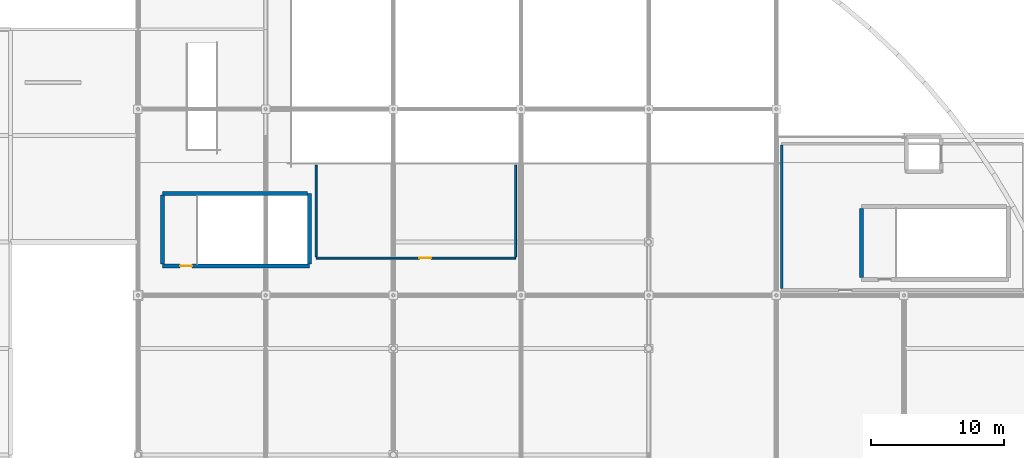
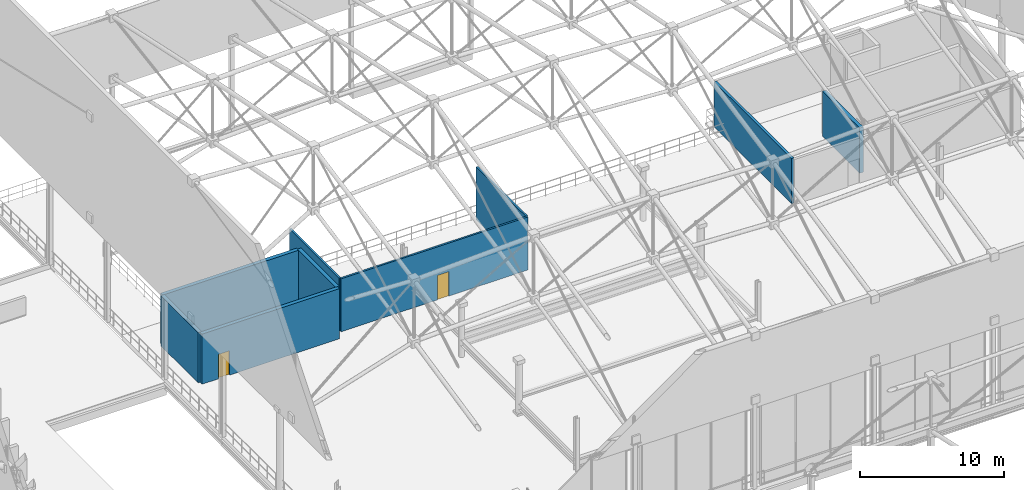
# One storey, part 157 of 193: 9 walls, 2 doors, 2 openings.
"""IFC4 building model written with IfcOpenShell, lengths in metres."""

import ifcopenshell
import ifcopenshell.guid

model = None  # the IFC model being written
_history = None  # IfcOwnerHistory: only IFC2X3 demands one
_inside = {}  # id of a spatial element -> (the spatial element, [elements in it])
_under = {}  # id of a project, library or spatial element -> (it, [spatial elements below it])
_declared = {}  # id of a project -> (the project, [libraries it declares])
_typed = {}  # id of a type object -> (the type object, [elements of that type])
_made_of = {}  # id of a material, layer set ... -> (it, [elements and type objects made of it])


def new_model(schema):
    """Start an empty IFC model of exactly this schema.

    Asked for "IFC4X3", IfcOpenShell would pick the latest addendum, in which some entities
    have other attributes; the version numbers below select the first issue.
    IFC2X3 requires an IfcOwnerHistory on every rooted entity: one is made here for all.
    """
    global model, _history
    if schema == "IFC4X3":
        model = ifcopenshell.file(schema_version=(4, 3, 0, 0))
    else:
        model = ifcopenshell.file(schema=schema)
    _inside.clear()
    _under.clear()
    _declared.clear()
    _typed.clear()
    _made_of.clear()
    _history = None
    if model.schema == "IFC2X3":
        org = make("IfcOrganization", Name="unknown")
        user = make(
            "IfcPersonAndOrganization",
            ThePerson=make("IfcPerson", FamilyName="unknown"),
            TheOrganization=org,
        )
        app = make(
            "IfcApplication",
            ApplicationDeveloper=org,
            Version="unknown",
            ApplicationFullName="unknown",
            ApplicationIdentifier="unknown",
        )
        _history = make(
            "IfcOwnerHistory",
            OwningUser=user,
            OwningApplication=app,
            ChangeAction="ADDED",
            CreationDate=0,
        )
    return model


def make(cls, **values):
    """One entity of the class cls with the attributes given. An attribute that is None is left unset."""
    return model.create_entity(
        cls, **{name: value for name, value in values.items() if value is not None}
    )


def rooted(cls, **values):
    """An entity with a GlobalId (a new one), such as an element, a storey or a relation."""
    return make(cls, GlobalId=ifcopenshell.guid.new(), OwnerHistory=_history, **values)


def si_unit(unit_type, name, prefix=None):
    """IfcSIUnit, for example si_unit("LENGTHUNIT", "METRE", prefix="MILLI")."""
    return make("IfcSIUnit", UnitType=unit_type, Prefix=prefix, Name=name)


def assignment(units):
    """IfcUnitAssignment: the units of a project."""
    return None if units is None else make("IfcUnitAssignment", Units=units)


def point(xyz):
    """IfcCartesianPoint."""
    return None if xyz is None else make("IfcCartesianPoint", Coordinates=xyz)


def direction(xyz):
    """IfcDirection."""
    return None if xyz is None else make("IfcDirection", DirectionRatios=xyz)


def frame(location, z_axis=None, x_axis=None):
    """IfcAxis2Placement3D, a coordinate frame: its origin and axes. An axis left out is left unset."""
    return make(
        "IfcAxis2Placement3D",
        Location=point(location),
        Axis=direction(z_axis),
        RefDirection=direction(x_axis),
    )


def frame_2d(location, x_axis=None):
    """IfcAxis2Placement2D, a coordinate frame in the plane: its origin and x axis."""
    return make(
        "IfcAxis2Placement2D", Location=point(location), RefDirection=direction(x_axis)
    )


def origin():
    """The frame at (0, 0, 0) with its axes left unset."""
    return frame((0.0, 0.0, 0.0))


def place(relative_to, where):
    """IfcLocalPlacement: puts the frame where relative to a parent placement (None: the world)."""
    return make(
        "IfcLocalPlacement", PlacementRelTo=relative_to, RelativePlacement=where
    )


def context(
    kind, dimensions, precision=None, world=None, true_north=None, identifier=None
):
    """IfcGeometricRepresentationContext, for example the 3D "Model" context."""
    return make(
        "IfcGeometricRepresentationContext",
        ContextIdentifier=identifier,
        ContextType=kind,
        CoordinateSpaceDimension=dimensions,
        Precision=precision,
        WorldCoordinateSystem=world,
        TrueNorth=true_north,
    )


def subcontext(parent, identifier, kind, view, scale=None):
    """IfcGeometricRepresentationSubContext, for example "Body" below "Model"."""
    return make(
        "IfcGeometricRepresentationSubContext",
        ContextIdentifier=identifier,
        ContextType=kind,
        ParentContext=parent,
        TargetScale=scale,
        TargetView=view,
    )


def project(units=None, contexts=None):
    """IfcProject with its units and contexts."""
    return rooted(
        "IfcProject",
        Name="project",
        RepresentationContexts=contexts,
        UnitsInContext=assignment(units),
    )


def spatial(cls, under=None, at=None, **own):
    """A site, building, storey or space (cls), placed at a placement, below another one or the project."""
    s = rooted(cls, ObjectPlacement=at, **own)
    if under is not None:
        _under.setdefault(under.id(), (under, []))[1].append(s)
    return s


def profile(cls, at=None, kind="AREA", **sizes):
    """A parametric profile (cls). Its sizes go by their IFC names, for example OverallWidth=200.0."""
    return make(cls, ProfileType=kind, Position=at, **sizes)


def rectangle(**sizes):
    """IfcRectangleProfileDef."""
    return profile("IfcRectangleProfileDef", **sizes)


def extrude(swept, where, along, depth):
    """IfcExtrudedAreaSolid: the profile swept, set in the frame where, extruded along a direction by depth."""
    return make(
        "IfcExtrudedAreaSolid",
        SweptArea=swept,
        Position=where,
        ExtrudedDirection=direction(along),
        Depth=depth,
    )


def shape(context_of_items, identifier, shape_type, items):
    """IfcShapeRepresentation: the items that make up one representation, for example the "Body"."""
    return make(
        "IfcShapeRepresentation",
        ContextOfItems=context_of_items,
        RepresentationIdentifier=identifier,
        RepresentationType=shape_type,
        Items=items,
    )


def material(Name=None, Category=None):
    """IfcMaterial."""
    return make("IfcMaterial", Name=Name, Category=Category)


def layer(
    of_material, thickness, ventilated=None, Name=None, Category=None, Priority=None
):
    """IfcMaterialLayer: one layer of a wall or slab, of a material (None: an air gap)."""
    return make(
        "IfcMaterialLayer",
        Material=of_material,
        LayerThickness=thickness,
        IsVentilated=ventilated,
        Name=Name,
        Category=Category,
        Priority=Priority,
    )


def layer_set(layers, Name=None):
    """IfcMaterialLayerSet."""
    return make("IfcMaterialLayerSet", MaterialLayers=layers, LayerSetName=Name)


def made_of(thing, what):
    """Note that an element or type object is made of a material, layer set ...; save() writes the relation."""
    if what is not None:
        _made_of.setdefault(what.id(), (what, []))[1].append(thing)
    return thing


def type_object(cls, material=None, **own):
    """A type object (cls), such as IfcWallType, which elements share."""
    return made_of(rooted(cls, **own), material)


def element(
    cls,
    number,
    at=None,
    inside=None,
    cuts=None,
    type_object=None,
    material=None,
    context=None,
    identifier="Body",
    shape_type=None,
    held_by="IfcProductDefinitionShape",
    body=None,
    shapes=None,
    **own,
):
    """One element of the class cls, such as IfcWall. Its Tag is "e" and its number.

    at: its placement. inside: the storey or other place that contains it. cuts: it is an
    opening in that element (IfcRelVoidsElement). A single representation is given by context,
    identifier, shape_type and body (its items); several are given by shapes. held_by: the class
    of the entity that holds the representations. save() writes the other relations.
    """
    e = rooted(cls, Tag="e%d" % number, ObjectPlacement=at, **own)
    if body is not None:
        shapes = [shape(context, identifier, shape_type, body)]
    if shapes is not None:
        e.Representation = make(held_by, Representations=shapes)
    if inside is not None:
        _inside.setdefault(inside.id(), (inside, []))[1].append(e)
    if cuts is not None:
        rooted(
            "IfcRelVoidsElement", RelatingBuildingElement=cuts, RelatedOpeningElement=e
        )
    if type_object is not None:
        _typed.setdefault(type_object.id(), (type_object, []))[1].append(e)
    return made_of(e, material)


def fill(opening, filler):
    """IfcRelFillsElement: the door or window that sits in an opening."""
    return rooted(
        "IfcRelFillsElement",
        RelatingOpeningElement=opening,
        RelatedBuildingElement=filler,
    )


def aggregate(whole, parts):
    """IfcRelAggregates: a whole, such as a stair, and the parts it consists of."""
    return rooted("IfcRelAggregates", RelatingObject=whole, RelatedObjects=parts)


def save(model, path):
    """Write the relations noted so far, then the file.

    IfcRelAggregates (storeys below a building ...), IfcRelContainedInSpatialStructure (elements
    in a storey), IfcRelDefinesByType, IfcRelAssociatesMaterial and IfcRelDeclares: one each for
    every whole, place, type object, material and project.
    """
    for whole, parts in _under.values():
        aggregate(whole, parts)
    for where, things in _inside.values():
        rooted(
            "IfcRelContainedInSpatialStructure",
            RelatedElements=things,
            RelatingStructure=where,
        )
    for kind, things in _typed.values():
        rooted("IfcRelDefinesByType", RelatedObjects=things, RelatingType=kind)
    for what, things in _made_of.values():
        rooted("IfcRelAssociatesMaterial", RelatedObjects=things, RelatingMaterial=what)
    for by, libraries in _declared.values():
        rooted("IfcRelDeclares", RelatingContext=by, RelatedDefinitions=libraries)
    model.write(path)


model = new_model("IFC4")

# Units and contexts
model_context = context("Model", 3, precision=1e-05, world=origin(), true_north=direction((0.0, 1.0)))
body_context = subcontext(model_context, "Body", "Model", "MODEL_VIEW")
ifc_project = project(units=[si_unit("LENGTHUNIT", "METRE"), si_unit("AREAUNIT", "SQUARE_METRE"), si_unit("VOLUMEUNIT", "CUBIC_METRE"), si_unit("PLANEANGLEUNIT", "RADIAN"), si_unit("MASSUNIT", "GRAM", prefix="KILO")], contexts=[model_context])

# Site, building, storey
site_placement = place(None, origin())
site = spatial("IfcSite", under=ifc_project, at=site_placement, CompositionType="ELEMENT")
building_placement = place(site_placement, origin())
building = spatial("IfcBuilding", under=site, at=building_placement, Name="Danafjord Basin Convention Centre", CompositionType="ELEMENT")
storey_placement = place(building_placement, frame((0.0, 0.0, 11.39990234375)))
storey = spatial("IfcBuildingStorey", under=building, at=storey_placement, Name="L02", CompositionType="ELEMENT", Elevation=11.39990234375)

# Wall
ifc_material_1 = material(Name="Concrete C40/50", Category="concrete")
ifc_layer_1 = layer(ifc_material_1, 0.300048828125)
ifc_layer_set_1 = layer_set([ifc_layer_1], Name="Concrete C40/50")
wall_type_1 = type_object("IfcWallType", Name="WALL-CW-CORE300", PredefinedType="SHEAR", material=ifc_layer_set_1)
wall_1_placement = place(storey_placement, frame((188.800048828125, 122.52490234375, 0.0), z_axis=(0.0, 0.0, 1.0), x_axis=(0.0, -1.0, 0.0)))
element("IfcWall", 1, at=wall_1_placement, inside=storey, type_object=wall_type_1, Name="Plenary North-East Core Stair 1 core shear wall (west)", PredefinedType="SHEAR", context=body_context, shape_type="SweptSolid", body=[
    extrude(rectangle(XDim=5.18994140625, YDim=0.300048828125, at=frame_2d((2.594970703125, 0.0))), origin(), (0.0, 0.0, 1.0), 3.835205078125),
])

# Wall, opening, door
wall_2_placement = place(storey_placement, frame((136.25, 118.199951171875, 0.0), z_axis=(0.0, 0.0, 1.0), x_axis=(1.0, 0.0, 0.0)))
wall_2 = element("IfcWall", 2, at=wall_2_placement, inside=storey, type_object=wall_type_1, Name="Plenary West Escape Stair core shear wall (south)", PredefinedType="SHEAR", context=body_context, shape_type="SweptSolid", body=[
    extrude(rectangle(XDim=11.0400390625, YDim=0.300048828125, at=frame_2d((5.52001953125, 0.0))), origin(), (0.0, 0.0, 1.0), 4.255126953125),
])
opening_1_placement = place(wall_2_placement, frame((1.31201171875, 0.0, 0.0)))
opening_1 = element("IfcOpeningElement", 3, at=opening_1_placement, cuts=wall_2, Name="Opening FD-S01", PredefinedType="OPENING", context=body_context, shape_type="SweptSolid", body=[
    extrude(rectangle(XDim=0.909912109375, YDim=2.080078125, at=frame_2d((0.455078125, 1.0400390625))), frame((0.0, 0.159912109375, 0.0), z_axis=(0.0, -1.0, 0.0), x_axis=(1.0, 0.0, 0.0)), (0.0, 0.0, 1.0), 0.320068359375),
])
ifc_material_2 = material(Name="Powder-coated steel and Nordic oak", Category="steel")
door_type = type_object("IfcDoorType", Name="DOOR-FD-S01", OperationType="NOTDEFINED", PredefinedType="DOOR", material=ifc_material_2)
door_1_placement = place(opening_1_placement, origin())
door_1 = element("IfcDoor", 4, at=door_1_placement, inside=storey, type_object=door_type, Name="Plenary West Escape Stair L02 Fire Exit Door", OperationType="SINGLE_SWING_LEFT", OverallHeight=2.080078125, OverallWidth=0.909912109375, PredefinedType="DOOR", context=body_context, shape_type="SweptSolid", body=[
    extrude(rectangle(XDim=0.909912109375, YDim=2.080078125, at=frame_2d((0.455078125, 1.0400390625))), frame((0.0, 0.02490234375, 0.0), z_axis=(0.0, -1.0, 0.0), x_axis=(1.0, 0.0, 0.0)), (0.0, 0.0, 1.0), 0.050048828125),
])
fill(opening_1, door_1)

# Walls
wall_3_placement = place(storey_placement, frame((147.2900390625, 118.3349609375, 0.0), z_axis=(0.0, 0.0, 1.0), x_axis=(0.0, 1.0, 0.0)))
element("IfcWall", 5, at=wall_3_placement, inside=storey, type_object=wall_type_1, Name="Plenary West Escape Stair core shear wall (east)", PredefinedType="SHEAR", context=body_context, shape_type="SweptSolid", body=[
    extrude(rectangle(XDim=5.324951171875, YDim=0.300048828125, at=frame_2d((2.66259765625, 0.0))), origin(), (0.0, 0.0, 1.0), 4.255126953125),
])
wall_4_placement = place(storey_placement, frame((147.155029296875, 123.659912109375, 0.0), z_axis=(0.0, 0.0, 1.0), x_axis=(-1.0, 0.0, 0.0)))
element("IfcWall", 6, at=wall_4_placement, inside=storey, type_object=wall_type_1, Name="Plenary West Escape Stair core shear wall (north)", PredefinedType="SHEAR", context=body_context, shape_type="SweptSolid", body=[
    extrude(rectangle(XDim=10.905029296875, YDim=0.300048828125, at=frame_2d((5.45263671875, 0.0))), origin(), (0.0, 0.0, 1.0), 4.255126953125),
])
wall_5_placement = place(storey_placement, frame((136.25, 123.52490234375, 0.0), z_axis=(0.0, 0.0, 1.0), x_axis=(0.0, -1.0, 0.0)))
element("IfcWall", 7, at=wall_5_placement, inside=storey, type_object=wall_type_1, Name="Plenary West Escape Stair core shear wall (west)", PredefinedType="SHEAR", context=body_context, shape_type="SweptSolid", body=[
    extrude(rectangle(XDim=5.18994140625, YDim=0.300048828125, at=frame_2d((2.594970703125, 0.0))), origin(), (0.0, 0.0, 1.0), 4.255126953125),
])

# Wall, opening, door
ifc_material_3 = material(Name="Fire-rated gypsum metal-stud partition")
ifc_layer_2 = layer(ifc_material_3, 0.14990234375)
ifc_layer_set_2 = layer_set([ifc_layer_2], Name="Fire-rated gypsum metal-stud partition")
wall_type_2 = type_object("IfcWallType", Name="WALL-PT-ST150", PredefinedType="PARTITIONING", material=ifc_layer_set_2)
wall_6_placement = place(storey_placement, frame((147.800048828125, 118.800048828125, 0.0), z_axis=(0.0, 0.0, 1.0), x_axis=(1.0, 0.0, 0.0)))
wall_6 = element("IfcWall", 8, at=wall_6_placement, inside=storey, type_object=wall_type_2, Name="Interpretation Booths and Media Suite south partition", PredefinedType="PARTITIONING", context=body_context, shape_type="SweptSolid", body=[
    extrude(rectangle(XDim=15.0, YDim=0.14990234375, at=frame_2d((7.5, 0.0))), origin(), (0.0, 0.0, 1.0), 4.5),
])
opening_2_placement = place(wall_6_placement, frame((7.75, 0.0, 0.0)))
opening_2 = element("IfcOpeningElement", 9, at=opening_2_placement, cuts=wall_6, Name="Opening FD-S01", PredefinedType="OPENING", context=body_context, shape_type="SweptSolid", body=[
    extrude(rectangle(XDim=0.909912109375, YDim=2.080078125, at=frame_2d((0.455078125, 1.0400390625))), frame((0.0, 0.0849609375, 0.0), z_axis=(0.0, -1.0, 0.0), x_axis=(1.0, 0.0, 0.0)), (0.0, 0.0, 1.0), 0.169921875),
])
door_2_placement = place(opening_2_placement, origin())
door_2 = element("IfcDoor", 10, at=door_2_placement, inside=storey, type_object=door_type, Name="Interpretation Booths and Media Suite Entrance Door", OperationType="SINGLE_SWING_RIGHT", OverallHeight=2.080078125, OverallWidth=0.909912109375, PredefinedType="DOOR", context=body_context, shape_type="SweptSolid", body=[
    extrude(rectangle(XDim=0.909912109375, YDim=2.080078125, at=frame_2d((0.455078125, 1.0400390625))), frame((0.0, 0.02490234375, 0.0), z_axis=(0.0, -1.0, 0.0), x_axis=(1.0, 0.0, 0.0)), (0.0, 0.0, 1.0), 0.050048828125),
])
fill(opening_2, door_2)

# Walls
for number, where, z_axis, x_axis, name in (
    (11, (162.800048828125, 118.87890625, 0.0), (0.0, 0.0, 1.0), (0.0, 1.0, 0.0), "Interpretation Booths and Media Suite east partition"),
    (12, (147.800048828125, 125.780029296875, 0.0), (0.0, 0.0, 1.0), (0.0, -1.0, 0.0), "Interpretation Booths and Media Suite west partition"),
):
    element("IfcWall", number, at=place(storey_placement, frame(where, z_axis=z_axis, x_axis=x_axis)), inside=storey, type_object=wall_type_2, Name=name, PredefinedType="PARTITIONING", context=body_context, shape_type="SweptSolid", body=[
        extrude(rectangle(XDim=6.901123046875, YDim=0.14990234375, at=frame_2d((3.45068359375, 0.0))), origin(), (0.0, 0.0, 1.0), 4.5),
    ])
ifc_material_4 = material(Name="Concrete C35/45", Category="concrete")
ifc_layer_3 = layer(ifc_material_4, 0.205078125)
ifc_layer_set_3 = layer_set([ifc_layer_3], Name="Concrete C35/45")
wall_type_3 = type_object("IfcWallType", Name="WALL-W-COMP205", PredefinedType="SOLIDWALL", material=ifc_layer_set_3)
wall_7_placement = place(storey_placement, frame((182.800048828125, 127.29345703125, 0.0), z_axis=(0.0, 0.0, 1.0), x_axis=(0.0, -1.0, 0.0)))
element("IfcWall", 13, at=wall_7_placement, inside=storey, type_object=wall_type_3, Name="Auditorium Dimmer AHU Plant Room west partition", PredefinedType="SOLIDWALL", context=body_context, shape_type="SweptSolid", body=[
    extrude(rectangle(XDim=10.786865234375, YDim=0.205078125, at=frame_2d((5.3935546875, 0.0))), origin(), (0.0, 0.0, 1.0), 3.835205078125),
])

save(model, "model.ifc")
